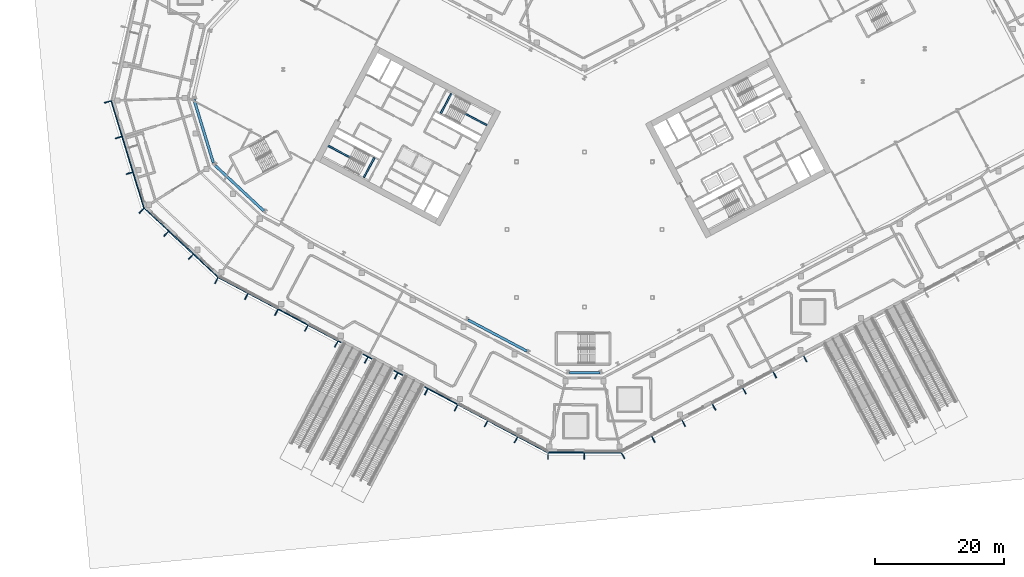
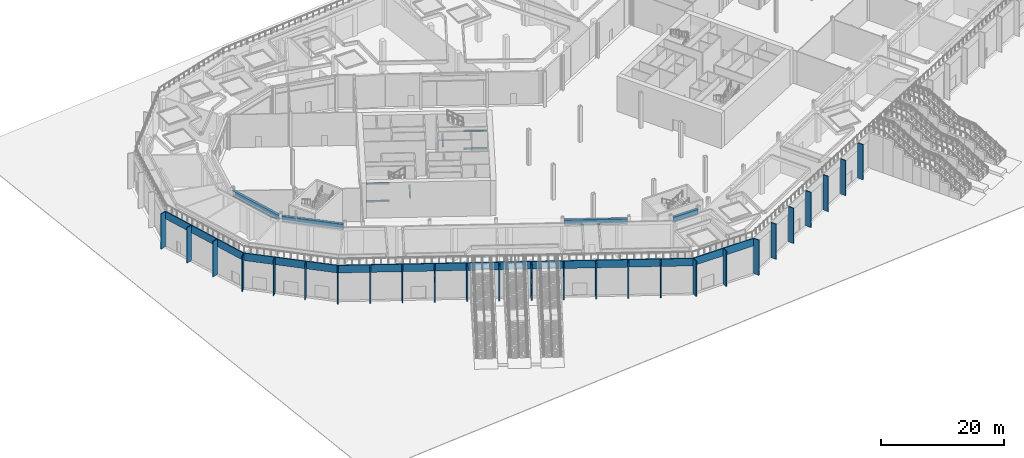
# One storey, part 7 of 57: 30 members, 10 beams, 5 elements without a shape of their own.
"""IFC4 building model written with IfcOpenShell, lengths in metres."""

from ifc_helpers import new_model, si_unit, direction, frame, origin, origin_2d, place, context, subcontext, project, spatial, rectangle, i_section, extrude, material, layer, layer_set, material_profile, profile_set, type_object, element, aggregate, save


model = new_model("IFC4")

# Units and contexts
model_context = context("Model", 3, precision=1e-05, world=origin(), true_north=direction((0.0, 1.0)))
body_context = subcontext(model_context, "Body", "Model", "MODEL_VIEW")
ifc_project = project(units=[si_unit("LENGTHUNIT", "METRE"), si_unit("AREAUNIT", "SQUARE_METRE"), si_unit("VOLUMEUNIT", "CUBIC_METRE"), si_unit("PLANEANGLEUNIT", "RADIAN"), si_unit("MASSUNIT", "GRAM", prefix="KILO")], contexts=[model_context])

# Site, building, storey
site_placement = place(None, origin())
site = spatial("IfcSite", under=ifc_project, at=site_placement, CompositionType="ELEMENT")
building_placement = place(site_placement, origin())
building = spatial("IfcBuilding", under=site, at=building_placement, Name="Cormorant Relay Tower", CompositionType="ELEMENT")
storey_placement = place(building_placement, origin())
storey = spatial("IfcBuildingStorey", under=building, at=storey_placement, Name="L00", CompositionType="ELEMENT", Elevation=0.0)

# Curtain wall, members
ifc_material_1 = material(Name="Aluminium 6063-T6 anodised bronze", Category="aluminium")
ifc_layer = layer(ifc_material_1, 0.199951171875)
ifc_layer_set = layer_set([ifc_layer], Name="CW2 base storefront")
curtain_wall_type = type_object("IfcCurtainWallType", Name="CW2 base storefront", PredefinedType="NOTDEFINED", material=ifc_layer_set)
curtain_wall_1_placement = place(storey_placement, origin())
curtain_wall_1 = element("IfcCurtainWall", 1, at=curtain_wall_1_placement, inside=storey, type_object=curtain_wall_type, Name="CW2 curtain wall 1", PredefinedType="NOTDEFINED")
ifc_material_2 = material(Name="Aluminium 6063-T6 anodised bronze", Category="aluminium")
ifc_material_profile_1 = material_profile(ifc_material_2, rectangle(XDim=0.14990234375, YDim=1.0, at=origin_2d()), Name="AL 150x1000")
ifc_profile_set_1 = profile_set([ifc_material_profile_1], Name="Aluminium 6063-T6 anodised bronze")
member_type_1 = type_object("IfcMemberType", Name="CW2 bronze fin mullion 150 x 1000", PredefinedType="MULLION", material=ifc_profile_set_1)
member_1_placement = place(storey_placement, frame((5.969482421875, -34.99365234375, 0.0), z_axis=(0.0, 0.0, 1.0), x_axis=(0.882947592859, 0.469471562786, 0.0)))
member_1 = element("IfcMember", 2, at=member_1_placement, type_object=member_type_1, Name="CW2 fin 1.1", PredefinedType="MULLION", context=body_context, shape_type="SweptSolid", body=[
    extrude(rectangle(XDim=0.14990234375, YDim=1.0, at=origin_2d()), origin(), (0.0, 0.0, 1.0), 7.0),
])
member_2_placement = place(storey_placement, frame((10.667236328125, -32.495849609375, 0.0), z_axis=(0.0, 0.0, 1.0), x_axis=(0.882947592859, 0.469471562786, 0.0)))
member_2 = element("IfcMember", 3, at=member_2_placement, type_object=member_type_1, Name="CW2 fin 1.2", PredefinedType="MULLION", context=body_context, shape_type="SweptSolid", body=[
    extrude(rectangle(XDim=0.14990234375, YDim=1.0, at=origin_2d()), origin(), (0.0, 0.0, 1.0), 7.0),
])
member_3_placement = place(storey_placement, frame((15.364990234375, -29.997802734375, 0.0), z_axis=(0.0, 0.0, 1.0), x_axis=(0.882947592859, 0.469471562786, 0.0)))
member_3 = element("IfcMember", 4, at=member_3_placement, type_object=member_type_1, Name="CW2 fin 1.3", PredefinedType="MULLION", context=body_context, shape_type="SweptSolid", body=[
    extrude(rectangle(XDim=0.14990234375, YDim=1.0, at=origin_2d()), origin(), (0.0, 0.0, 1.0), 7.0),
])
member_4_placement = place(storey_placement, frame((20.0625, -27.5, 0.0), z_axis=(0.0, 0.0, 1.0), x_axis=(0.882947592859, 0.469471562786, 0.0)))
member_4 = element("IfcMember", 5, at=member_4_placement, type_object=member_type_1, Name="CW2 fin 1.4", PredefinedType="MULLION", context=body_context, shape_type="SweptSolid", body=[
    extrude(rectangle(XDim=0.14990234375, YDim=1.0, at=origin_2d()), origin(), (0.0, 0.0, 1.0), 7.0),
])
member_5_placement = place(storey_placement, frame((24.760498046875, -25.002197265625, 0.0), z_axis=(0.0, 0.0, 1.0), x_axis=(0.882947592859, 0.469471562786, 0.0)))
member_5 = element("IfcMember", 6, at=member_5_placement, type_object=member_type_1, Name="CW2 fin 1.5", PredefinedType="MULLION", context=body_context, shape_type="SweptSolid", body=[
    extrude(rectangle(XDim=0.14990234375, YDim=1.0, at=origin_2d()), origin(), (0.0, 0.0, 1.0), 7.0),
])
member_6_placement = place(storey_placement, frame((29.4580078125, -22.50439453125, 0.0), z_axis=(0.0, 0.0, 1.0), x_axis=(0.882947592859, 0.469471562786, 0.0)))
member_6 = element("IfcMember", 7, at=member_6_placement, type_object=member_type_1, Name="CW2 fin 1.6", PredefinedType="MULLION", context=body_context, shape_type="SweptSolid", body=[
    extrude(rectangle(XDim=0.14990234375, YDim=1.0, at=origin_2d()), origin(), (0.0, 0.0, 1.0), 7.0),
])
member_7_placement = place(storey_placement, frame((34.156005859375, -20.006591796875, 0.0), z_axis=(0.0, 0.0, 1.0), x_axis=(0.882947592859, 0.469471562786, 0.0)))
member_7 = element("IfcMember", 8, at=member_7_placement, type_object=member_type_1, Name="CW2 fin 1.7", PredefinedType="MULLION", context=body_context, shape_type="SweptSolid", body=[
    extrude(rectangle(XDim=0.14990234375, YDim=1.0, at=origin_2d()), origin(), (0.0, 0.0, 1.0), 7.0),
])
aggregate(curtain_wall_1, [member_1, member_2, member_3, member_4, member_5, member_6, member_7])

curtain_wall_2_placement = place(storey_placement, origin())
curtain_wall_2 = element("IfcCurtainWall", 9, at=curtain_wall_2_placement, inside=storey, type_object=curtain_wall_type, Name="CW2 curtain wall 9", PredefinedType="NOTDEFINED")
member_8_placement = place(storey_placement, frame((-73.804931640625, 19.755126953125, 0.0), z_axis=(0.0, 0.0, 1.0), x_axis=(0.292371704723, -0.956304755963, 0.0)))
member_8 = element("IfcMember", 10, at=member_8_placement, type_object=member_type_1, Name="CW2 fin 9.1", PredefinedType="MULLION", context=body_context, shape_type="SweptSolid", body=[
    extrude(rectangle(XDim=0.14990234375, YDim=1.0, at=origin_2d()), origin(), (0.0, 0.0, 1.0), 7.0),
])
member_9_placement = place(storey_placement, frame((-72.118896484375, 14.239990234375, 0.0), z_axis=(0.0, 0.0, 1.0), x_axis=(0.292371704723, -0.956304755963, 0.0)))
member_9 = element("IfcMember", 11, at=member_9_placement, type_object=member_type_1, Name="CW2 fin 9.2", PredefinedType="MULLION", context=body_context, shape_type="SweptSolid", body=[
    extrude(rectangle(XDim=0.14990234375, YDim=1.0, at=origin_2d()), origin(), (0.0, 0.0, 1.0), 7.0),
])
member_10_placement = place(storey_placement, frame((-70.432861328125, 8.72509765625, 0.0), z_axis=(0.0, 0.0, 1.0), x_axis=(0.292371704723, -0.956304755963, 0.0)))
member_10 = element("IfcMember", 12, at=member_10_placement, type_object=member_type_1, Name="CW2 fin 9.3", PredefinedType="MULLION", context=body_context, shape_type="SweptSolid", body=[
    extrude(rectangle(XDim=0.14990234375, YDim=1.0, at=origin_2d()), origin(), (0.0, 0.0, 1.0), 7.0),
])

curtain_wall_3_placement = place(storey_placement, origin())
curtain_wall_3 = element("IfcCurtainWall", 13, at=curtain_wall_3_placement, inside=storey, type_object=curtain_wall_type, Name="CW2 curtain wall 10", PredefinedType="NOTDEFINED")
member_11_placement = place(storey_placement, frame((-68.5546875, 2.902587890625, 0.0), z_axis=(0.0, 0.0, 1.0), x_axis=(0.731353701619, -0.681998360062, 0.0)))
member_11 = element("IfcMember", 14, at=member_11_placement, type_object=member_type_1, Name="CW2 fin 10.1", PredefinedType="MULLION", context=body_context, shape_type="SweptSolid", body=[
    extrude(rectangle(XDim=0.14990234375, YDim=1.0, at=origin_2d()), origin(), (0.0, 0.0, 1.0), 7.0),
])
member_12_placement = place(storey_placement, frame((-64.735595703125, -0.65869140625, 0.0), z_axis=(0.0, 0.0, 1.0), x_axis=(0.731353701619, -0.681998360062, 0.0)))
member_12 = element("IfcMember", 15, at=member_12_placement, type_object=member_type_1, Name="CW2 fin 10.2", PredefinedType="MULLION", context=body_context, shape_type="SweptSolid", body=[
    extrude(rectangle(XDim=0.14990234375, YDim=1.0, at=origin_2d()), origin(), (0.0, 0.0, 1.0), 7.0),
])
member_13_placement = place(storey_placement, frame((-60.91650390625, -4.219970703125, 0.0), z_axis=(0.0, 0.0, 1.0), x_axis=(0.731353701619, -0.681998360062, 0.0)))
member_13 = element("IfcMember", 16, at=member_13_placement, type_object=member_type_1, Name="CW2 fin 10.3", PredefinedType="MULLION", context=body_context, shape_type="SweptSolid", body=[
    extrude(rectangle(XDim=0.14990234375, YDim=1.0, at=origin_2d()), origin(), (0.0, 0.0, 1.0), 7.0),
])

curtain_wall_4_placement = place(storey_placement, origin())
curtain_wall_4 = element("IfcCurtainWall", 17, at=curtain_wall_4_placement, inside=storey, type_object=curtain_wall_type, Name="CW2 curtain wall 11", PredefinedType="NOTDEFINED")
member_14_placement = place(storey_placement, frame((-56.94873046875, -7.887451171875, 0.0), z_axis=(0.0, 0.0, 1.0), x_axis=(0.882947592859, -0.469471562786, 0.0)))
member_14 = element("IfcMember", 18, at=member_14_placement, type_object=member_type_1, Name="CW2 fin 11.1", PredefinedType="MULLION", context=body_context, shape_type="SweptSolid", body=[
    extrude(rectangle(XDim=0.14990234375, YDim=1.0, at=origin_2d()), origin(), (0.0, 0.0, 1.0), 7.0),
])
member_15_placement = place(storey_placement, frame((-52.314208984375, -10.3515625, 0.0), z_axis=(0.0, 0.0, 1.0), x_axis=(0.882947592859, -0.469471562786, 0.0)))
member_15 = element("IfcMember", 19, at=member_15_placement, type_object=member_type_1, Name="CW2 fin 11.2", PredefinedType="MULLION", context=body_context, shape_type="SweptSolid", body=[
    extrude(rectangle(XDim=0.14990234375, YDim=1.0, at=origin_2d()), origin(), (0.0, 0.0, 1.0), 7.0),
])
member_16_placement = place(storey_placement, frame((-47.6796875, -12.81591796875, 0.0), z_axis=(0.0, 0.0, 1.0), x_axis=(0.882947592859, -0.469471562786, 0.0)))
member_16 = element("IfcMember", 20, at=member_16_placement, type_object=member_type_1, Name="CW2 fin 11.3", PredefinedType="MULLION", context=body_context, shape_type="SweptSolid", body=[
    extrude(rectangle(XDim=0.14990234375, YDim=1.0, at=origin_2d()), origin(), (0.0, 0.0, 1.0), 7.0),
])
member_17_placement = place(storey_placement, frame((-43.04541015625, -15.280029296875, 0.0), z_axis=(0.0, 0.0, 1.0), x_axis=(0.882947592859, -0.469471562786, 0.0)))
member_17 = element("IfcMember", 21, at=member_17_placement, type_object=member_type_1, Name="CW2 fin 11.4", PredefinedType="MULLION", context=body_context, shape_type="SweptSolid", body=[
    extrude(rectangle(XDim=0.14990234375, YDim=1.0, at=origin_2d()), origin(), (0.0, 0.0, 1.0), 7.0),
])
member_18_placement = place(storey_placement, frame((-38.410888671875, -17.744140625, 0.0), z_axis=(0.0, 0.0, 1.0), x_axis=(0.882947592859, -0.469471562786, 0.0)))
member_18 = element("IfcMember", 22, at=member_18_placement, type_object=member_type_1, Name="CW2 fin 11.5", PredefinedType="MULLION", context=body_context, shape_type="SweptSolid", body=[
    extrude(rectangle(XDim=0.14990234375, YDim=1.0, at=origin_2d()), origin(), (0.0, 0.0, 1.0), 7.0),
])
member_19_placement = place(storey_placement, frame((-33.7763671875, -20.20849609375, 0.0), z_axis=(0.0, 0.0, 1.0), x_axis=(0.882947592859, -0.469471562786, 0.0)))
member_19 = element("IfcMember", 23, at=member_19_placement, type_object=member_type_1, Name="CW2 fin 11.6", PredefinedType="MULLION", context=body_context, shape_type="SweptSolid", body=[
    extrude(rectangle(XDim=0.14990234375, YDim=1.0, at=origin_2d()), origin(), (0.0, 0.0, 1.0), 7.0),
])
member_20_placement = place(storey_placement, frame((-29.141845703125, -22.672607421875, 0.0), z_axis=(0.0, 0.0, 1.0), x_axis=(0.882947592859, -0.469471562786, 0.0)))
member_20 = element("IfcMember", 24, at=member_20_placement, type_object=member_type_1, Name="CW2 fin 11.7", PredefinedType="MULLION", context=body_context, shape_type="SweptSolid", body=[
    extrude(rectangle(XDim=0.14990234375, YDim=1.0, at=origin_2d()), origin(), (0.0, 0.0, 1.0), 7.0),
])
member_21_placement = place(storey_placement, frame((-24.50732421875, -25.13671875, 0.0), z_axis=(0.0, 0.0, 1.0), x_axis=(0.882947592859, -0.469471562786, 0.0)))
member_21 = element("IfcMember", 25, at=member_21_placement, type_object=member_type_1, Name="CW2 fin 11.8", PredefinedType="MULLION", context=body_context, shape_type="SweptSolid", body=[
    extrude(rectangle(XDim=0.14990234375, YDim=1.0, at=origin_2d()), origin(), (0.0, 0.0, 1.0), 7.0),
])
member_22_placement = place(storey_placement, frame((-19.872802734375, -27.60107421875, 0.0), z_axis=(0.0, 0.0, 1.0), x_axis=(0.882947592859, -0.469471562786, 0.0)))
member_22 = element("IfcMember", 26, at=member_22_placement, type_object=member_type_1, Name="CW2 fin 11.9", PredefinedType="MULLION", context=body_context, shape_type="SweptSolid", body=[
    extrude(rectangle(XDim=0.14990234375, YDim=1.0, at=origin_2d()), origin(), (0.0, 0.0, 1.0), 7.0),
])
member_23_placement = place(storey_placement, frame((-15.23828125, -30.065185546875, 0.0), z_axis=(0.0, 0.0, 1.0), x_axis=(0.882947592859, -0.469471562786, 0.0)))
member_23 = element("IfcMember", 27, at=member_23_placement, type_object=member_type_1, Name="CW2 fin 11.10", PredefinedType="MULLION", context=body_context, shape_type="SweptSolid", body=[
    extrude(rectangle(XDim=0.14990234375, YDim=1.0, at=origin_2d()), origin(), (0.0, 0.0, 1.0), 7.0),
])
member_24_placement = place(storey_placement, frame((-10.60400390625, -32.529296875, 0.0), z_axis=(0.0, 0.0, 1.0), x_axis=(0.882947592859, -0.469471562786, 0.0)))
member_24 = element("IfcMember", 28, at=member_24_placement, type_object=member_type_1, Name="CW2 fin 11.11", PredefinedType="MULLION", context=body_context, shape_type="SweptSolid", body=[
    extrude(rectangle(XDim=0.14990234375, YDim=1.0, at=origin_2d()), origin(), (0.0, 0.0, 1.0), 7.0),
])

curtain_wall_5_placement = place(storey_placement, origin())
curtain_wall_5 = element("IfcCurtainWall", 29, at=curtain_wall_5_placement, inside=storey, type_object=curtain_wall_type, Name="CW2 curtain wall 12", PredefinedType="NOTDEFINED")
member_25_placement = place(storey_placement, frame((-5.640869140625, -35.07568359375, 0.0), z_axis=(0.0, 0.0, 1.0), x_axis=(1.0, 0.0, 0.0)))
member_25 = element("IfcMember", 30, at=member_25_placement, type_object=member_type_1, Name="CW2 fin 12.1", PredefinedType="MULLION", context=body_context, shape_type="SweptSolid", body=[
    extrude(rectangle(XDim=0.14990234375, YDim=1.0, at=origin_2d()), origin(), (0.0, 0.0, 1.0), 7.0),
])
member_26_placement = place(storey_placement, frame((0.0, -35.07568359375, 0.0), z_axis=(0.0, 0.0, 1.0), x_axis=(1.0, 0.0, 0.0)))
member_26 = element("IfcMember", 31, at=member_26_placement, type_object=member_type_1, Name="CW2 fin 12.2", PredefinedType="MULLION", context=body_context, shape_type="SweptSolid", body=[
    extrude(rectangle(XDim=0.14990234375, YDim=1.0, at=origin_2d()), origin(), (0.0, 0.0, 1.0), 7.0),
])

# Member
ifc_material_3 = material(Name="Aluminium 6063-T6 anodised bronze", Category="aluminium")
ifc_material_profile_2 = material_profile(ifc_material_3, rectangle(XDim=0.159912109375, YDim=1.5, at=origin_2d()), Name="AL 160x1500")
ifc_profile_set_2 = profile_set([ifc_material_profile_2], Name="Aluminium 6063-T6 anodised bronze")
member_type_2 = type_object("IfcMemberType", Name="CW2 bronze transom 160 x 1500", PredefinedType="USERDEFINED", material=ifc_profile_set_2)
member_27_placement = place(storey_placement, frame((-73.25048828125, 19.9248046875, 6.25), z_axis=(0.292379856883, -0.95630226356, 0.0), x_axis=(0.95630226356, 0.292379856883, 0.0)))
member_27 = element("IfcMember", 32, at=member_27_placement, type_object=member_type_2, Name="CW2 transom 9", ObjectType="TRANSOM", PredefinedType="USERDEFINED", context=body_context, shape_type="SweptSolid", body=[
    extrude(rectangle(XDim=0.159912109375, YDim=1.5, at=origin_2d()), origin(), (0.0, 0.0, 1.0), 17.301513671875),
])

aggregate(curtain_wall_2, [member_8, member_9, member_10, member_27])

member_28_placement = place(storey_placement, frame((-68.1591796875, 3.326904296875, 6.25), z_axis=(0.73135370533, -0.681998356083, 0.0), x_axis=(0.681998356083, 0.73135370533, 0.0)))
member_28 = element("IfcMember", 33, at=member_28_placement, type_object=member_type_2, Name="CW2 transom 10", ObjectType="TRANSOM", PredefinedType="USERDEFINED", context=body_context, shape_type="SweptSolid", body=[
    extrude(rectangle(XDim=0.159912109375, YDim=1.5, at=origin_2d()), origin(), (0.0, 0.0, 1.0), 15.665771484375),
])

aggregate(curtain_wall_3, [member_11, member_12, member_13, member_28])

member_29_placement = place(storey_placement, frame((-56.676513671875, -7.375244140625, 6.25), z_axis=(0.882948135943, -0.469470541393, 0.0), x_axis=(0.469470541393, 0.882948135943, 0.0)))
member_29 = element("IfcMember", 34, at=member_29_placement, type_object=member_type_2, Name="CW2 transom 11", ObjectType="TRANSOM", PredefinedType="USERDEFINED", context=body_context, shape_type="SweptSolid", body=[
    extrude(rectangle(XDim=0.159912109375, YDim=1.5, at=origin_2d()), origin(), (0.0, 0.0, 1.0), 57.73779296875),
])

aggregate(curtain_wall_4, [member_14, member_15, member_16, member_17, member_18, member_19, member_20, member_21, member_22, member_23, member_24, member_29])

member_30_placement = place(storey_placement, frame((-5.640869140625, -34.49560546875, 6.25), z_axis=(1.0, 0.0, 0.0), x_axis=(0.0, 1.0, 0.0)))
member_30 = element("IfcMember", 35, at=member_30_placement, type_object=member_type_2, Name="CW2 transom 12", ObjectType="TRANSOM", PredefinedType="USERDEFINED", context=body_context, shape_type="SweptSolid", body=[
    extrude(rectangle(XDim=0.159912109375, YDim=1.5, at=origin_2d()), origin(), (0.0, 0.0, 1.0), 11.28173828125),
])

aggregate(curtain_wall_5, [member_25, member_26, member_30])

# Beams
ifc_material_4 = material(Name="Steel ASTM A992 (Fy 345 MPa)", Category="steel")
ifc_material_profile_3 = material_profile(ifc_material_4, i_section(OverallWidth=0.408935546875, OverallDepth=1.137939453125, WebThickness=0.031005859375, FlangeThickness=0.05517578125, FilletRadius=0.02001953125, at=origin_2d()), Name="W1100x607")
ifc_profile_set_3 = profile_set([ifc_material_profile_3], Name="Steel ASTM A992 (Fy 345 MPa)")
beam_type_1 = type_object("IfcBeamType", Name="Spandrel W1100x607", PredefinedType="SPANDREL", material=ifc_profile_set_3)
beam_1_placement = place(storey_placement, frame((-2.331787109375, -22.171142578125, 5.98095703125), z_axis=(1.0, 0.0, 0.0), x_axis=(0.0, 1.0, 0.0)))
element("IfcBeam", 36, at=beam_1_placement, inside=storey, type_object=beam_type_1, Name="Spandrel beam L00-001", PredefinedType="SPANDREL", context=body_context, shape_type="SweptSolid", body=[
    extrude(i_section(OverallWidth=0.408935546875, OverallDepth=1.137939453125, WebThickness=0.031005859375, FlangeThickness=0.05517578125, FilletRadius=0.02001953125, at=origin_2d()), origin(), (0.0, 0.0, 1.0), 4.71533203125),
])
beam_2_placement = place(storey_placement, frame((-60.42919921875, 20.14208984375, 5.98095703125), z_axis=(0.292364564847, -0.956306938813, 0.0), x_axis=(0.956306938813, 0.292364564847, 0.0)))
element("IfcBeam", 37, at=beam_2_placement, inside=storey, type_object=beam_type_1, Name="Spandrel beam L00-012", PredefinedType="SPANDREL", context=body_context, shape_type="SweptSolid", body=[
    extrude(i_section(OverallWidth=0.408935546875, OverallDepth=1.137939453125, WebThickness=0.031005859375, FlangeThickness=0.05517578125, FilletRadius=0.02001953125, at=origin_2d()), origin(), (0.0, 0.0, 1.0), 10.27880859375),
])
beam_3_placement = place(storey_placement, frame((-57.163818359375, 9.925048828125, 5.98095703125), z_axis=(0.731361805756, -0.681989669336, 0.0), x_axis=(0.681989669336, 0.731361805756, 0.0)))
element("IfcBeam", 38, at=beam_3_placement, inside=storey, type_object=beam_type_1, Name="Spandrel beam L00-013", PredefinedType="SPANDREL", context=body_context, shape_type="SweptSolid", body=[
    extrude(i_section(OverallWidth=0.408935546875, OverallDepth=1.137939453125, WebThickness=0.031005859375, FlangeThickness=0.05517578125, FilletRadius=0.02001953125, at=origin_2d()), origin(), (0.0, 0.0, 1.0), 10.30029296875),
])
beam_4_placement = place(storey_placement, frame((-18.04638671875, -13.95703125, 5.98095703125), z_axis=(0.882942412403, -0.469481305677, 0.0), x_axis=(0.469481305677, 0.882942412403, 0.0)))
element("IfcBeam", 39, at=beam_4_placement, inside=storey, type_object=beam_type_1, Name="Spandrel beam L00-014", PredefinedType="SPANDREL", context=body_context, shape_type="SweptSolid", body=[
    extrude(i_section(OverallWidth=0.408935546875, OverallDepth=1.137939453125, WebThickness=0.031005859375, FlangeThickness=0.05517578125, FilletRadius=0.02001953125, at=origin_2d()), origin(), (0.0, 0.0, 1.0), 10.363525390625),
])
ifc_material_5 = material(Name="Concrete 50 MPa", Category="concrete")
ifc_material_profile_4 = material_profile(ifc_material_5, rectangle(XDim=0.25, YDim=0.300048828125, at=origin_2d()), Name="RC 250x300")
ifc_profile_set_4 = profile_set([ifc_material_profile_4], Name="Concrete 50 MPa")
beam_type_2 = type_object("IfcBeamType", Name="Stair landing ledge beam 250x300", PredefinedType="BEAM", material=ifc_profile_set_4)
beam_5_placement = place(storey_placement, frame((-18.466796875, 17.9453125, 1.39990234375), z_axis=(0.882939859514, -0.469486106803, 0.0), x_axis=(0.469486106803, 0.882939859514, 0.0)))
element("IfcBeam", 40, at=beam_5_placement, inside=storey, type_object=beam_type_2, Name="A1 landing ledge beam", PredefinedType="BEAM", context=body_context, shape_type="SweptSolid", body=[
    extrude(rectangle(XDim=0.25, YDim=0.300048828125, at=origin_2d()), origin(), (0.0, 0.0, 1.0), 3.829833984375),
])
beam_6_placement = place(storey_placement, frame((-22.22998046875, 17.992431640625, 3.14990234375), z_axis=(0.469408745039, 0.882980990781, 0.0), x_axis=(-0.882980990781, 0.469408745039, 0.0)))
element("IfcBeam", 41, at=beam_6_placement, inside=storey, type_object=beam_type_2, Name="A1 landing ledge beam", PredefinedType="BEAM", context=body_context, shape_type="SweptSolid", body=[
    extrude(rectangle(XDim=0.25, YDim=0.300048828125, at=origin_2d()), origin(), (0.0, 0.0, 1.0), 3.449951171875),
])
beam_7_placement = place(storey_placement, frame((-18.466796875, 17.9453125, 4.89990234375), z_axis=(0.882939859514, -0.469486106803, 0.0), x_axis=(0.469486106803, 0.882939859514, 0.0)))
element("IfcBeam", 42, at=beam_7_placement, inside=storey, type_object=beam_type_2, Name="A1 landing ledge beam", PredefinedType="BEAM", context=body_context, shape_type="SweptSolid", body=[
    extrude(rectangle(XDim=0.25, YDim=0.300048828125, at=origin_2d()), origin(), (0.0, 0.0, 1.0), 3.829833984375),
])
beam_8_placement = place(storey_placement, frame((-36.27587890625, 11.162109375, 1.39990234375), z_axis=(-0.882953908948, 0.469459683757, 0.0), x_axis=(-0.469459683757, -0.882953908948, 0.0)))
element("IfcBeam", 43, at=beam_8_placement, inside=storey, type_object=beam_type_2, Name="A2 landing ledge beam", PredefinedType="BEAM", context=body_context, shape_type="SweptSolid", body=[
    extrude(rectangle(XDim=0.25, YDim=0.300048828125, at=origin_2d()), origin(), (0.0, 0.0, 1.0), 3.830078125),
])
beam_9_placement = place(storey_placement, frame((-32.5126953125, 11.11474609375, 3.14990234375), z_axis=(-0.469463917486, -0.882951657895, 0.0), x_axis=(0.882951657895, -0.469463917486, 0.0)))
element("IfcBeam", 44, at=beam_9_placement, inside=storey, type_object=beam_type_2, Name="A2 landing ledge beam", PredefinedType="BEAM", context=body_context, shape_type="SweptSolid", body=[
    extrude(rectangle(XDim=0.25, YDim=0.300048828125, at=origin_2d()), origin(), (0.0, 0.0, 1.0), 3.449951171875),
])
beam_10_placement = place(storey_placement, frame((-36.27587890625, 11.162109375, 4.89990234375), z_axis=(-0.882953908948, 0.469459683757, 0.0), x_axis=(-0.469459683757, -0.882953908948, 0.0)))
element("IfcBeam", 45, at=beam_10_placement, inside=storey, type_object=beam_type_2, Name="A2 landing ledge beam", PredefinedType="BEAM", context=body_context, shape_type="SweptSolid", body=[
    extrude(rectangle(XDim=0.25, YDim=0.300048828125, at=origin_2d()), origin(), (0.0, 0.0, 1.0), 3.830078125),
])

save(model, "model.ifc")
